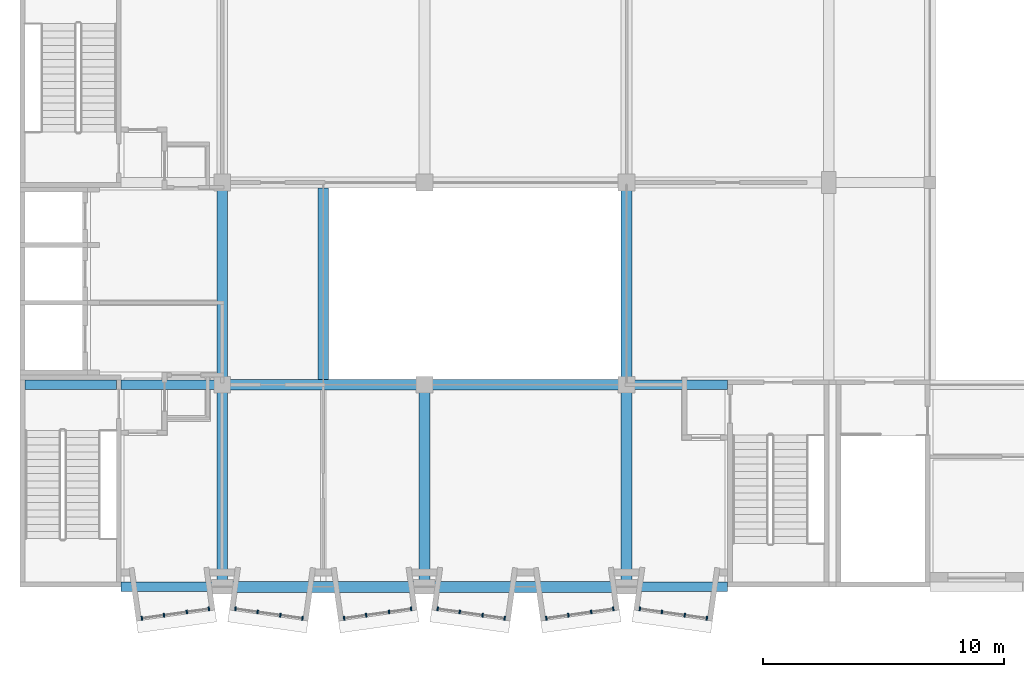
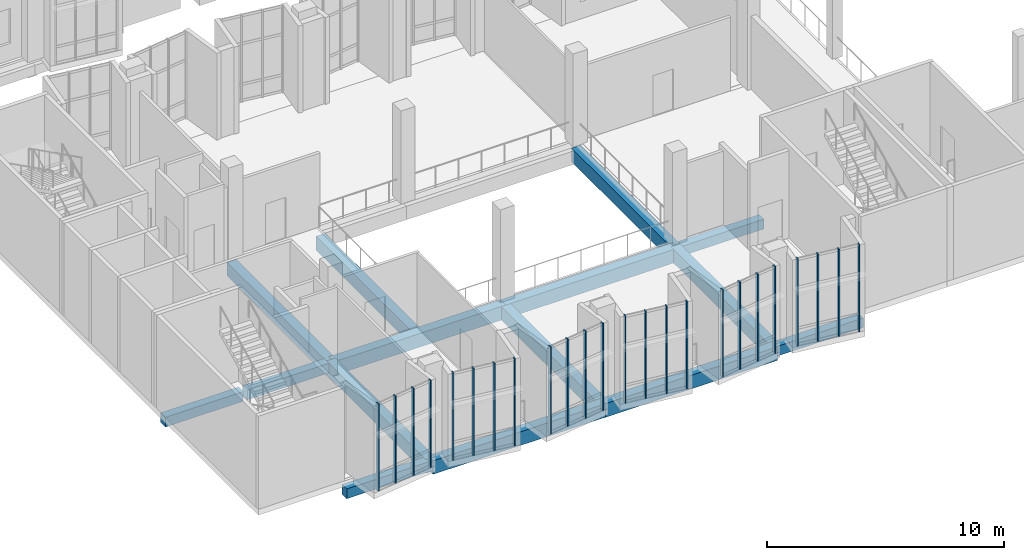
# One storey, part 3 of 100: 24 members, 15 beams, 6 elements without a shape of their own.
"""IFC4 building model written with IfcOpenShell, lengths in metres."""

from ifc_helpers import new_model, si_unit, direction, frame, origin, origin_2d, place, context, subcontext, project, spatial, rectangle, extrude, material, layer, layer_set, material_profile, profile_set, type_object, element, aggregate, save


model = new_model("IFC4")

# Units and contexts
model_context = context("Model", 3, precision=1e-05, world=origin(), true_north=direction((0.0, 1.0)))
body_context = subcontext(model_context, "Body", "Model", "MODEL_VIEW")
ifc_project = project(units=[si_unit("LENGTHUNIT", "METRE"), si_unit("AREAUNIT", "SQUARE_METRE"), si_unit("VOLUMEUNIT", "CUBIC_METRE"), si_unit("PLANEANGLEUNIT", "RADIAN"), si_unit("MASSUNIT", "GRAM", prefix="KILO")], contexts=[model_context])

# Site, building, storey
site_placement = place(None, origin())
site = spatial("IfcSite", under=ifc_project, at=site_placement, CompositionType="ELEMENT")
building_placement = place(site_placement, origin())
building = spatial("IfcBuilding", under=site, at=building_placement, Name="Kiln Court Media Centre", CompositionType="ELEMENT")
storey_placement = place(building_placement, frame((0.0, 0.0, 15.0)))
storey = spatial("IfcBuildingStorey", under=building, at=storey_placement, Name="L03", CompositionType="ELEMENT", Elevation=15.0)

# Curtain wall, members
ifc_material_1 = material(Name="Aluminium 6063-T6", Category="aluminium")
ifc_layer = layer(ifc_material_1, 0.1201171875)
ifc_layer_set = layer_set([ifc_layer], Name="Aluminium unitised bay curtain wall")
curtain_wall_type = type_object("IfcCurtainWallType", Name="Aluminium unitised bay curtain wall", PredefinedType="USERDEFINED", material=ifc_layer_set)
curtain_wall_1_placement = place(storey_placement, origin())
curtain_wall_1 = element("IfcCurtainWall", 1, at=curtain_wall_1_placement, inside=storey, type_object=curtain_wall_type, Name="BAY V6A-S-L03-17 front", ObjectType="UNITISED CURTAIN WALL", PredefinedType="USERDEFINED")
ifc_material_2 = material(Name="Aluminium 6063-T6", Category="aluminium")
ifc_material_profile_1 = material_profile(ifc_material_2, rectangle(XDim=0.06005859375, YDim=0.159912109375, at=origin_2d()), Name="Aluminium mullion 60x160")
ifc_profile_set_1 = profile_set([ifc_material_profile_1], Name="Aluminium 6063-T6")
member_type = type_object("IfcMemberType", Name="Aluminium mullion 60x160", PredefinedType="MULLION", material=ifc_profile_set_1)
member_1_placement = place(storey_placement, frame((5.064453125, -1.3046875, 0.0), z_axis=(0.0, 0.0, 1.0), x_axis=(0.990269562409, 0.139162472554, 0.0)))
member_1 = element("IfcMember", 2, at=member_1_placement, type_object=member_type, Name="CW3-10 mullion 1", PredefinedType="MULLION", context=body_context, shape_type="SweptSolid", body=[
    extrude(rectangle(XDim=0.06005859375, YDim=0.159912109375, at=origin_2d()), origin(), (0.0, 0.0, 1.0), 4.5),
])
member_2_placement = place(storey_placement, frame((5.982177734375, -1.17578125, 0.0), z_axis=(0.0, 0.0, 1.0), x_axis=(0.990269562409, 0.139162472554, 0.0)))
member_2 = element("IfcMember", 3, at=member_2_placement, type_object=member_type, Name="CW3-10 mullion 2", PredefinedType="MULLION", context=body_context, shape_type="SweptSolid", body=[
    extrude(rectangle(XDim=0.06005859375, YDim=0.159912109375, at=origin_2d()), origin(), (0.0, 0.0, 1.0), 4.5),
])
member_3_placement = place(storey_placement, frame((6.929443359375, -1.04248046875, 0.0), z_axis=(0.0, 0.0, 1.0), x_axis=(0.990269562409, 0.139162472554, 0.0)))
member_3 = element("IfcMember", 4, at=member_3_placement, type_object=member_type, Name="CW3-10 mullion 3", PredefinedType="MULLION", context=body_context, shape_type="SweptSolid", body=[
    extrude(rectangle(XDim=0.06005859375, YDim=0.159912109375, at=origin_2d()), origin(), (0.0, 0.0, 1.0), 4.5),
])
member_4_placement = place(storey_placement, frame((7.84716796875, -0.91357421875, 0.0), z_axis=(0.0, 0.0, 1.0), x_axis=(0.990269562409, 0.139162472554, 0.0)))
member_4 = element("IfcMember", 5, at=member_4_placement, type_object=member_type, Name="CW3-10 mullion 4", PredefinedType="MULLION", context=body_context, shape_type="SweptSolid", body=[
    extrude(rectangle(XDim=0.06005859375, YDim=0.159912109375, at=origin_2d()), origin(), (0.0, 0.0, 1.0), 4.5),
])
aggregate(curtain_wall_1, [member_1, member_2, member_3, member_4])

curtain_wall_2_placement = place(storey_placement, origin())
curtain_wall_2 = element("IfcCurtainWall", 6, at=curtain_wall_2_placement, inside=storey, type_object=curtain_wall_type, Name="BAY V6A-S-L03-18 front", ObjectType="UNITISED CURTAIN WALL", PredefinedType="USERDEFINED")
member_5_placement = place(storey_placement, frame((8.952880859375, -0.91357421875, 0.0), z_axis=(0.0, 0.0, 1.0), x_axis=(0.990269562409, -0.139162472554, 0.0)))
member_5 = element("IfcMember", 7, at=member_5_placement, type_object=member_type, Name="CW3-11 mullion 1", PredefinedType="MULLION", context=body_context, shape_type="SweptSolid", body=[
    extrude(rectangle(XDim=0.06005859375, YDim=0.159912109375, at=origin_2d()), origin(), (0.0, 0.0, 1.0), 4.5),
])
member_6_placement = place(storey_placement, frame((9.870361328125, -1.04248046875, 0.0), z_axis=(0.0, 0.0, 1.0), x_axis=(0.990269562409, -0.139162472554, 0.0)))
member_6 = element("IfcMember", 8, at=member_6_placement, type_object=member_type, Name="CW3-11 mullion 2", PredefinedType="MULLION", context=body_context, shape_type="SweptSolid", body=[
    extrude(rectangle(XDim=0.06005859375, YDim=0.159912109375, at=origin_2d()), origin(), (0.0, 0.0, 1.0), 4.5),
])
member_7_placement = place(storey_placement, frame((10.81787109375, -1.17578125, 0.0), z_axis=(0.0, 0.0, 1.0), x_axis=(0.990269562409, -0.139162472554, 0.0)))
member_7 = element("IfcMember", 9, at=member_7_placement, type_object=member_type, Name="CW3-11 mullion 3", PredefinedType="MULLION", context=body_context, shape_type="SweptSolid", body=[
    extrude(rectangle(XDim=0.06005859375, YDim=0.159912109375, at=origin_2d()), origin(), (0.0, 0.0, 1.0), 4.5),
])
member_8_placement = place(storey_placement, frame((11.735595703125, -1.3046875, 0.0), z_axis=(0.0, 0.0, 1.0), x_axis=(0.990269562409, -0.139162472554, 0.0)))
member_8 = element("IfcMember", 10, at=member_8_placement, type_object=member_type, Name="CW3-11 mullion 4", PredefinedType="MULLION", context=body_context, shape_type="SweptSolid", body=[
    extrude(rectangle(XDim=0.06005859375, YDim=0.159912109375, at=origin_2d()), origin(), (0.0, 0.0, 1.0), 4.5),
])
aggregate(curtain_wall_2, [member_5, member_6, member_7, member_8])

curtain_wall_3_placement = place(storey_placement, origin())
curtain_wall_3 = element("IfcCurtainWall", 11, at=curtain_wall_3_placement, inside=storey, type_object=curtain_wall_type, Name="BAY V6A-S-L03-19 front", ObjectType="UNITISED CURTAIN WALL", PredefinedType="USERDEFINED")
member_9_placement = place(storey_placement, frame((13.464599609375, -1.3046875, 0.0), z_axis=(0.0, 0.0, 1.0), x_axis=(0.990269562409, 0.139162472554, 0.0)))
member_9 = element("IfcMember", 12, at=member_9_placement, type_object=member_type, Name="CW3-12 mullion 1", PredefinedType="MULLION", context=body_context, shape_type="SweptSolid", body=[
    extrude(rectangle(XDim=0.06005859375, YDim=0.159912109375, at=origin_2d()), origin(), (0.0, 0.0, 1.0), 4.5),
])
member_10_placement = place(storey_placement, frame((14.382080078125, -1.17578125, 0.0), z_axis=(0.0, 0.0, 1.0), x_axis=(0.990269562409, 0.139162472554, 0.0)))
member_10 = element("IfcMember", 13, at=member_10_placement, type_object=member_type, Name="CW3-12 mullion 2", PredefinedType="MULLION", context=body_context, shape_type="SweptSolid", body=[
    extrude(rectangle(XDim=0.06005859375, YDim=0.159912109375, at=origin_2d()), origin(), (0.0, 0.0, 1.0), 4.5),
])
member_11_placement = place(storey_placement, frame((15.32958984375, -1.04248046875, 0.0), z_axis=(0.0, 0.0, 1.0), x_axis=(0.990269562409, 0.139162472554, 0.0)))
member_11 = element("IfcMember", 14, at=member_11_placement, type_object=member_type, Name="CW3-12 mullion 3", PredefinedType="MULLION", context=body_context, shape_type="SweptSolid", body=[
    extrude(rectangle(XDim=0.06005859375, YDim=0.159912109375, at=origin_2d()), origin(), (0.0, 0.0, 1.0), 4.5),
])
member_12_placement = place(storey_placement, frame((16.2470703125, -0.91357421875, 0.0), z_axis=(0.0, 0.0, 1.0), x_axis=(0.990269562409, 0.139162472554, 0.0)))
member_12 = element("IfcMember", 15, at=member_12_placement, type_object=member_type, Name="CW3-12 mullion 4", PredefinedType="MULLION", context=body_context, shape_type="SweptSolid", body=[
    extrude(rectangle(XDim=0.06005859375, YDim=0.159912109375, at=origin_2d()), origin(), (0.0, 0.0, 1.0), 4.5),
])
aggregate(curtain_wall_3, [member_9, member_10, member_11, member_12])

curtain_wall_4_placement = place(storey_placement, origin())
curtain_wall_4 = element("IfcCurtainWall", 16, at=curtain_wall_4_placement, inside=storey, type_object=curtain_wall_type, Name="BAY V6A-S-L03-20 front", ObjectType="UNITISED CURTAIN WALL", PredefinedType="USERDEFINED")
member_13_placement = place(storey_placement, frame((17.352783203125, -0.91357421875, 0.0), z_axis=(0.0, 0.0, 1.0), x_axis=(0.990269562409, -0.139162472554, 0.0)))
member_13 = element("IfcMember", 17, at=member_13_placement, type_object=member_type, Name="CW3-13 mullion 1", PredefinedType="MULLION", context=body_context, shape_type="SweptSolid", body=[
    extrude(rectangle(XDim=0.06005859375, YDim=0.159912109375, at=origin_2d()), origin(), (0.0, 0.0, 1.0), 4.5),
])
member_14_placement = place(storey_placement, frame((18.2705078125, -1.04248046875, 0.0), z_axis=(0.0, 0.0, 1.0), x_axis=(0.990269562409, -0.139162472554, 0.0)))
member_14 = element("IfcMember", 18, at=member_14_placement, type_object=member_type, Name="CW3-13 mullion 2", PredefinedType="MULLION", context=body_context, shape_type="SweptSolid", body=[
    extrude(rectangle(XDim=0.06005859375, YDim=0.159912109375, at=origin_2d()), origin(), (0.0, 0.0, 1.0), 4.5),
])
member_15_placement = place(storey_placement, frame((19.2177734375, -1.17578125, 0.0), z_axis=(0.0, 0.0, 1.0), x_axis=(0.990269562409, -0.139162472554, 0.0)))
member_15 = element("IfcMember", 19, at=member_15_placement, type_object=member_type, Name="CW3-13 mullion 3", PredefinedType="MULLION", context=body_context, shape_type="SweptSolid", body=[
    extrude(rectangle(XDim=0.06005859375, YDim=0.159912109375, at=origin_2d()), origin(), (0.0, 0.0, 1.0), 4.5),
])
member_16_placement = place(storey_placement, frame((20.135498046875, -1.3046875, 0.0), z_axis=(0.0, 0.0, 1.0), x_axis=(0.990269562409, -0.139162472554, 0.0)))
member_16 = element("IfcMember", 20, at=member_16_placement, type_object=member_type, Name="CW3-13 mullion 4", PredefinedType="MULLION", context=body_context, shape_type="SweptSolid", body=[
    extrude(rectangle(XDim=0.06005859375, YDim=0.159912109375, at=origin_2d()), origin(), (0.0, 0.0, 1.0), 4.5),
])
aggregate(curtain_wall_4, [member_13, member_14, member_15, member_16])

curtain_wall_5_placement = place(storey_placement, origin())
curtain_wall_5 = element("IfcCurtainWall", 21, at=curtain_wall_5_placement, inside=storey, type_object=curtain_wall_type, Name="BAY V6A-S-L03-21 front", ObjectType="UNITISED CURTAIN WALL", PredefinedType="USERDEFINED")
member_17_placement = place(storey_placement, frame((21.864501953125, -1.3046875, 0.0), z_axis=(0.0, 0.0, 1.0), x_axis=(0.990269562409, 0.139162472554, 0.0)))
member_17 = element("IfcMember", 22, at=member_17_placement, type_object=member_type, Name="CW3-14 mullion 1", PredefinedType="MULLION", context=body_context, shape_type="SweptSolid", body=[
    extrude(rectangle(XDim=0.06005859375, YDim=0.159912109375, at=origin_2d()), origin(), (0.0, 0.0, 1.0), 4.5),
])
member_18_placement = place(storey_placement, frame((22.7822265625, -1.17578125, 0.0), z_axis=(0.0, 0.0, 1.0), x_axis=(0.990269562409, 0.139162472554, 0.0)))
member_18 = element("IfcMember", 23, at=member_18_placement, type_object=member_type, Name="CW3-14 mullion 2", PredefinedType="MULLION", context=body_context, shape_type="SweptSolid", body=[
    extrude(rectangle(XDim=0.06005859375, YDim=0.159912109375, at=origin_2d()), origin(), (0.0, 0.0, 1.0), 4.5),
])
member_19_placement = place(storey_placement, frame((23.7294921875, -1.04248046875, 0.0), z_axis=(0.0, 0.0, 1.0), x_axis=(0.990269562409, 0.139162472554, 0.0)))
member_19 = element("IfcMember", 24, at=member_19_placement, type_object=member_type, Name="CW3-14 mullion 3", PredefinedType="MULLION", context=body_context, shape_type="SweptSolid", body=[
    extrude(rectangle(XDim=0.06005859375, YDim=0.159912109375, at=origin_2d()), origin(), (0.0, 0.0, 1.0), 4.5),
])
member_20_placement = place(storey_placement, frame((24.647216796875, -0.91357421875, 0.0), z_axis=(0.0, 0.0, 1.0), x_axis=(0.990269562409, 0.139162472554, 0.0)))
member_20 = element("IfcMember", 25, at=member_20_placement, type_object=member_type, Name="CW3-14 mullion 4", PredefinedType="MULLION", context=body_context, shape_type="SweptSolid", body=[
    extrude(rectangle(XDim=0.06005859375, YDim=0.159912109375, at=origin_2d()), origin(), (0.0, 0.0, 1.0), 4.5),
])
aggregate(curtain_wall_5, [member_17, member_18, member_19, member_20])

curtain_wall_6_placement = place(storey_placement, origin())
curtain_wall_6 = element("IfcCurtainWall", 26, at=curtain_wall_6_placement, inside=storey, type_object=curtain_wall_type, Name="BAY V6A-S-L03-22 front", ObjectType="UNITISED CURTAIN WALL", PredefinedType="USERDEFINED")
member_21_placement = place(storey_placement, frame((25.7529296875, -0.91357421875, 0.0), z_axis=(0.0, 0.0, 1.0), x_axis=(0.990269562409, -0.139162472554, 0.0)))
member_21 = element("IfcMember", 27, at=member_21_placement, type_object=member_type, Name="CW3-15 mullion 1", PredefinedType="MULLION", context=body_context, shape_type="SweptSolid", body=[
    extrude(rectangle(XDim=0.06005859375, YDim=0.159912109375, at=origin_2d()), origin(), (0.0, 0.0, 1.0), 4.5),
])
member_22_placement = place(storey_placement, frame((26.67041015625, -1.04248046875, 0.0), z_axis=(0.0, 0.0, 1.0), x_axis=(0.990269562409, -0.139162472554, 0.0)))
member_22 = element("IfcMember", 28, at=member_22_placement, type_object=member_type, Name="CW3-15 mullion 2", PredefinedType="MULLION", context=body_context, shape_type="SweptSolid", body=[
    extrude(rectangle(XDim=0.06005859375, YDim=0.159912109375, at=origin_2d()), origin(), (0.0, 0.0, 1.0), 4.5),
])
member_23_placement = place(storey_placement, frame((27.617919921875, -1.17578125, 0.0), z_axis=(0.0, 0.0, 1.0), x_axis=(0.990269562409, -0.139162472554, 0.0)))
member_23 = element("IfcMember", 29, at=member_23_placement, type_object=member_type, Name="CW3-15 mullion 3", PredefinedType="MULLION", context=body_context, shape_type="SweptSolid", body=[
    extrude(rectangle(XDim=0.06005859375, YDim=0.159912109375, at=origin_2d()), origin(), (0.0, 0.0, 1.0), 4.5),
])
member_24_placement = place(storey_placement, frame((28.535400390625, -1.3046875, 0.0), z_axis=(0.0, 0.0, 1.0), x_axis=(0.990269562409, -0.139162472554, 0.0)))
member_24 = element("IfcMember", 30, at=member_24_placement, type_object=member_type, Name="CW3-15 mullion 4", PredefinedType="MULLION", context=body_context, shape_type="SweptSolid", body=[
    extrude(rectangle(XDim=0.06005859375, YDim=0.159912109375, at=origin_2d()), origin(), (0.0, 0.0, 1.0), 4.5),
])
aggregate(curtain_wall_6, [member_21, member_22, member_23, member_24])

# Beams
ifc_material_3 = material(Name="Concrete C30/37", Category="concrete")
ifc_material_profile_2 = material_profile(ifc_material_3, rectangle(XDim=0.39990234375, YDim=0.5, at=origin_2d()), Name="RC 400x500")
ifc_profile_set_2 = profile_set([ifc_material_profile_2], Name="Concrete C30/37")
beam_type_1 = type_object("IfcBeamType", Name="Concrete C30/37 beam 400x500", PredefinedType="BEAM", material=ifc_profile_set_2)
for number, where, z_axis, x_axis, name in (
    (31, (4.199951171875, 0.0, -0.550048828125), (1.0, 0.0, 0.0), (0.0, 1.0, 0.0), "L03-B-1010"),
    (32, (25.199951171875, 0.0, -0.550048828125), (1.0, 0.0, 0.0), (0.0, 1.0, 0.0), "L03-B-1013"),
):
    element("IfcBeam", number, at=place(storey_placement, frame(where, z_axis=z_axis, x_axis=x_axis)), inside=storey, type_object=beam_type_1, Name=name, PredefinedType="BEAM", context=body_context, shape_type="SweptSolid", body=[
        extrude(rectangle(XDim=0.39990234375, YDim=0.5, at=origin_2d()), origin(), (0.0, 0.0, 1.0), 4.199951171875),
    ])
beam_1_placement = place(storey_placement, frame((0.199951171875, 8.39990234375, -0.550048828125), z_axis=(1.0, 0.0, 0.0), x_axis=(0.0, 1.0, 0.0)))
element("IfcBeam", 33, at=beam_1_placement, inside=storey, type_object=beam_type_1, Name="L03-B-1014", PredefinedType="BEAM", context=body_context, shape_type="SweptSolid", body=[
    extrude(rectangle(XDim=0.39990234375, YDim=0.5, at=origin_2d()), origin(), (0.0, 0.0, 1.0), 3.800048828125),
])
for number, where, z_axis, x_axis, name in (
    (34, (4.199951171875, 8.39990234375, -0.550048828125), (1.0, 0.0, 0.0), (0.0, 1.0, 0.0), "L03-B-1015"),
    (35, (25.199951171875, 8.39990234375, -0.550048828125), (1.0, 0.0, 0.0), (0.0, 1.0, 0.0), "L03-B-1018"),
):
    element("IfcBeam", number, at=place(storey_placement, frame(where, z_axis=z_axis, x_axis=x_axis)), inside=storey, type_object=beam_type_1, Name=name, PredefinedType="BEAM", context=body_context, shape_type="SweptSolid", body=[
        extrude(rectangle(XDim=0.39990234375, YDim=0.5, at=origin_2d()), origin(), (0.0, 0.0, 1.0), 4.199951171875),
    ])
ifc_material_4 = material(Name="Concrete C30/37", Category="concrete")
ifc_material_profile_3 = material_profile(ifc_material_4, rectangle(XDim=0.449951171875, YDim=0.699951171875, at=origin_2d()), Name="RC 450x700")
ifc_profile_set_3 = profile_set([ifc_material_profile_3], Name="Concrete C30/37")
beam_type_2 = type_object("IfcBeamType", Name="Concrete C30/37 beam 450x700", PredefinedType="BEAM", material=ifc_profile_set_3)
beam_2_placement = place(storey_placement, frame((8.39990234375, 0.0, -0.64990234375), z_axis=(0.0, 1.0, 0.0), x_axis=(-1.0, 0.0, 0.0)))
element("IfcBeam", 36, at=beam_2_placement, inside=storey, type_object=beam_type_2, Name="L03-B-1000", PredefinedType="BEAM", context=body_context, shape_type="SweptSolid", body=[
    extrude(rectangle(XDim=0.449951171875, YDim=0.699951171875, at=origin_2d()), origin(), (0.0, 0.0, 1.0), 8.39990234375),
])
beam_3_placement = place(storey_placement, frame((8.39990234375, 8.39990234375, -0.64990234375), z_axis=(0.0, 1.0, 0.0), x_axis=(-1.0, 0.0, 0.0)))
element("IfcBeam", 37, at=beam_3_placement, inside=storey, type_object=beam_type_2, Name="L03-B-1001", PredefinedType="BEAM", context=body_context, shape_type="SweptSolid", body=[
    extrude(rectangle(XDim=0.449951171875, YDim=0.699951171875, at=origin_2d()), origin(), (0.0, 0.0, 1.0), 8.400146484375),
])
for number, where, z_axis, x_axis, name in (
    (38, (16.800048828125, 0.0, -0.64990234375), (0.0, 1.0, 0.0), (-1.0, 0.0, 0.0), "L03-B-1003"),
    (39, (25.199951171875, 0.0, -0.64990234375), (0.0, 1.0, 0.0), (-1.0, 0.0, 0.0), "L03-B-1005"),
):
    element("IfcBeam", number, at=place(storey_placement, frame(where, z_axis=z_axis, x_axis=x_axis)), inside=storey, type_object=beam_type_2, Name=name, PredefinedType="BEAM", context=body_context, shape_type="SweptSolid", body=[
        extrude(rectangle(XDim=0.449951171875, YDim=0.699951171875, at=origin_2d()), origin(), (0.0, 0.0, 1.0), 8.39990234375),
    ])
for number, where, z_axis, x_axis, name in (
    (40, (25.199951171875, 8.39990234375, -0.64990234375), (0.0, 1.0, 0.0), (-1.0, 0.0, 0.0), "L03-B-1006"),
    (41, (8.39990234375, 0.0, -0.64990234375), (1.0, 0.0, 0.0), (0.0, 1.0, 0.0), "L03-B-1011"),
):
    element("IfcBeam", number, at=place(storey_placement, frame(where, z_axis=z_axis, x_axis=x_axis)), inside=storey, type_object=beam_type_2, Name=name, PredefinedType="BEAM", context=body_context, shape_type="SweptSolid", body=[
        extrude(rectangle(XDim=0.449951171875, YDim=0.699951171875, at=origin_2d()), origin(), (0.0, 0.0, 1.0), 8.400146484375),
    ])
beam_4_placement = place(storey_placement, frame((16.800048828125, 0.0, -0.64990234375), z_axis=(1.0, 0.0, 0.0), x_axis=(0.0, 1.0, 0.0)))
element("IfcBeam", 42, at=beam_4_placement, inside=storey, type_object=beam_type_2, Name="L03-B-1012", PredefinedType="BEAM", context=body_context, shape_type="SweptSolid", body=[
    extrude(rectangle(XDim=0.449951171875, YDim=0.699951171875, at=origin_2d()), origin(), (0.0, 0.0, 1.0), 8.39990234375),
])
beam_5_placement = place(storey_placement, frame((8.39990234375, 8.39990234375, -0.64990234375), z_axis=(1.0, 0.0, 0.0), x_axis=(0.0, 1.0, 0.0)))
element("IfcBeam", 43, at=beam_5_placement, inside=storey, type_object=beam_type_2, Name="L03-B-1016", PredefinedType="BEAM", context=body_context, shape_type="SweptSolid", body=[
    extrude(rectangle(XDim=0.449951171875, YDim=0.699951171875, at=origin_2d()), origin(), (0.0, 0.0, 1.0), 8.400146484375),
])
beam_6_placement = place(storey_placement, frame((16.800048828125, 8.39990234375, -0.64990234375), z_axis=(1.0, 0.0, 0.0), x_axis=(0.0, 1.0, 0.0)))
element("IfcBeam", 44, at=beam_6_placement, inside=storey, type_object=beam_type_2, Name="L03-B-1017", PredefinedType="BEAM", context=body_context, shape_type="SweptSolid", body=[
    extrude(rectangle(XDim=0.449951171875, YDim=0.699951171875, at=origin_2d()), origin(), (0.0, 0.0, 1.0), 8.39990234375),
])
beam_7_placement = place(storey_placement, frame((12.60009765625, 16.574951171875, -0.64990234375), z_axis=(0.0, -1.0, 0.0), x_axis=(1.0, 0.0, 0.0)))
element("IfcBeam", 45, at=beam_7_placement, inside=storey, type_object=beam_type_2, Name="L03-B-1027", PredefinedType="BEAM", context=body_context, shape_type="SweptSolid", body=[
    extrude(rectangle(XDim=0.449951171875, YDim=0.699951171875, at=origin_2d()), origin(), (0.0, 0.0, 1.0), 7.949951171875),
])

save(model, "model.ifc")
